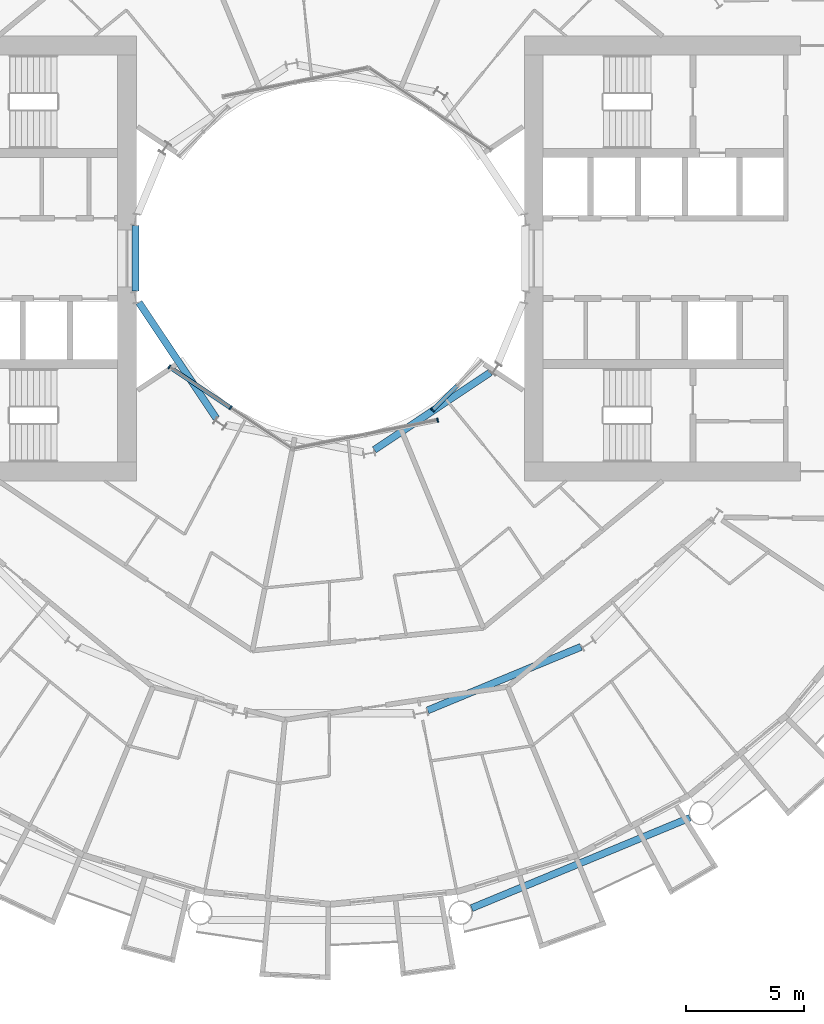
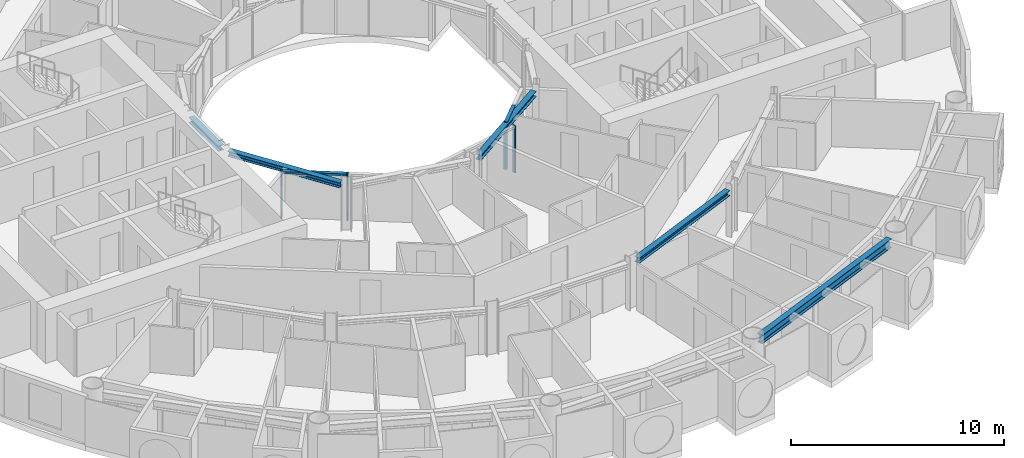
# One storey, part 5 of 26: 6 members, 5 beams, 3 elements without a shape of their own.
"""IFC4 building model written with IfcOpenShell, lengths in metres."""

from ifc_helpers import new_model, si_unit, direction, frame, origin, origin_2d, place, context, subcontext, project, spatial, rectangle, i_section, extrude, material, layer, layer_set, material_profile, profile_set, type_object, element, aggregate, save


model = new_model("IFC4")

# Units and contexts
model_context = context("Model", 3, precision=1e-05, world=origin(), true_north=direction((0.0, 1.0)))
body_context = subcontext(model_context, "Body", "Model", "MODEL_VIEW")
ifc_project = project(units=[si_unit("LENGTHUNIT", "METRE"), si_unit("AREAUNIT", "SQUARE_METRE"), si_unit("VOLUMEUNIT", "CUBIC_METRE"), si_unit("PLANEANGLEUNIT", "RADIAN"), si_unit("MASSUNIT", "GRAM", prefix="KILO")], contexts=[model_context])

# Site, building, storey
site_placement = place(None, origin())
site = spatial("IfcSite", under=ifc_project, at=site_placement, CompositionType="ELEMENT")
building_placement = place(site_placement, origin())
building = spatial("IfcBuilding", under=site, at=building_placement, Name="Maasbend Ring Residences", CompositionType="ELEMENT")
storey_placement = place(building_placement, frame((0.0, 0.0, 35.0)))
storey = spatial("IfcBuildingStorey", under=building, at=storey_placement, Name="L09", CompositionType="ELEMENT", Elevation=35.0)

# Curtain wall, members
ifc_material_1 = material(Name="Aluminium and clear glass", Category="aluminium")
ifc_layer = layer(ifc_material_1, 0.179931640625)
ifc_layer_set = layer_set([ifc_layer], Name="CW-W")
curtain_wall_type = type_object("IfcCurtainWallType", Name="CW-W", PredefinedType="NOTDEFINED", material=ifc_layer_set)
curtain_wall_1_placement = place(storey_placement, origin())
curtain_wall_1 = element("IfcCurtainWall", 1, at=curtain_wall_1_placement, inside=storey, type_object=curtain_wall_type, Name="Well curtain wall S1", PredefinedType="NOTDEFINED")
ifc_material_2 = material(Name="Aluminium 6063-T6", Category="aluminium")
ifc_material_profile_1 = material_profile(ifc_material_2, rectangle(XDim=0.179931640625, YDim=0.06005859375, at=origin_2d()), Name="AL 180x60")
ifc_profile_set_1 = profile_set([ifc_material_profile_1], Name="Aluminium 6063-T6")
member_type_1 = type_object("IfcMemberType", Name="CWM-W", PredefinedType="MULLION", material=ifc_profile_set_1)
member_1_placement = place(storey_placement, frame((-6.805908203125, -4.580810546875, 0.0), z_axis=(0.0, 0.0, 1.0), x_axis=(0.55557023302, 0.831469612303, 0.0)))
member_1 = element("IfcMember", 2, at=member_1_placement, type_object=member_type_1, Name="Mullion well face", PredefinedType="MULLION", context=body_context, shape_type="SweptSolid", body=[
    extrude(rectangle(XDim=0.179931640625, YDim=0.06005859375, at=origin_2d()), origin(), (0.0, 0.0, 1.0), 2.699951171875),
])
member_2_placement = place(storey_placement, frame((-4.216796875, -6.310791015625, 0.0), z_axis=(0.0, 0.0, 1.0), x_axis=(0.55557023302, 0.831469612303, 0.0)))
member_2 = element("IfcMember", 3, at=member_2_placement, type_object=member_type_1, Name="Mullion well face", PredefinedType="MULLION", context=body_context, shape_type="SweptSolid", body=[
    extrude(rectangle(XDim=0.179931640625, YDim=0.06005859375, at=origin_2d()), origin(), (0.0, 0.0, 1.0), 2.699951171875),
])

# Curtain wall, member
curtain_wall_2_placement = place(storey_placement, origin())
curtain_wall_2 = element("IfcCurtainWall", 4, at=curtain_wall_2_placement, inside=storey, type_object=curtain_wall_type, Name="Well curtain wall S2", PredefinedType="NOTDEFINED")
member_3_placement = place(storey_placement, frame((4.53466796875, -6.836669921875, 0.0), z_axis=(0.0, 0.0, 1.0), x_axis=(-0.195090322016, 0.980785280403, 0.0)))
member_3 = element("IfcMember", 5, at=member_3_placement, type_object=member_type_1, Name="Mullion well face", PredefinedType="MULLION", context=body_context, shape_type="SweptSolid", body=[
    extrude(rectangle(XDim=0.179931640625, YDim=0.06005859375, at=origin_2d()), origin(), (0.0, 0.0, 1.0), 2.699951171875),
])
aggregate(curtain_wall_2, [member_3])

curtain_wall_3_placement = place(storey_placement, origin())
curtain_wall_3 = element("IfcCurtainWall", 6, at=curtain_wall_3_placement, inside=storey, type_object=curtain_wall_type, Name="Well curtain wall S3", PredefinedType="NOTDEFINED")
member_4_placement = place(storey_placement, frame((4.320556640625, -6.413330078125, 0.0), z_axis=(0.0, 0.0, 1.0), x_axis=(-0.707106781187, 0.707106781187, 0.0)))
member_4 = element("IfcMember", 7, at=member_4_placement, type_object=member_type_1, Name="Mullion well face", PredefinedType="MULLION", context=body_context, shape_type="SweptSolid", body=[
    extrude(rectangle(XDim=0.179931640625, YDim=0.06005859375, at=origin_2d()), origin(), (0.0, 0.0, 1.0), 2.699951171875),
])

# Member
ifc_material_3 = material(Name="Aluminium 6063-T6", Category="aluminium")
ifc_material_profile_2 = material_profile(ifc_material_3, rectangle(XDim=0.179931640625, YDim=0.1201171875, at=origin_2d()), Name="AL 180x120")
ifc_profile_set_2 = profile_set([ifc_material_profile_2], Name="Aluminium 6063-T6")
member_type_2 = type_object("IfcMemberType", Name="CWT-W", PredefinedType="USERDEFINED", material=ifc_profile_set_2)
member_5_placement = place(storey_placement, frame((-6.781005859375, -4.59765625, 2.639892578125), z_axis=(0.831496422459, -0.555530106689, 0.0), x_axis=(0.555530106689, 0.831496422459, 0.0)))
member_5 = element("IfcMember", 8, at=member_5_placement, type_object=member_type_2, Name="Transom well face", ObjectType="TRANSOM", PredefinedType="USERDEFINED", context=body_context, shape_type="SweptSolid", body=[
    extrude(rectangle(XDim=0.179931640625, YDim=0.1201171875, at=origin_2d()), origin(), (0.0, 0.0, 1.0), 3.053955078125),
])

aggregate(curtain_wall_1, [member_1, member_2, member_5])

member_6_placement = place(storey_placement, frame((4.341796875, -6.39208984375, 2.639892578125), z_axis=(0.707106781187, 0.707106781187, 0.0), x_axis=(-0.707106781187, 0.707106781187, 0.0)))
member_6 = element("IfcMember", 9, at=member_6_placement, type_object=member_type_2, Name="Transom well face", ObjectType="TRANSOM", PredefinedType="USERDEFINED", context=body_context, shape_type="SweptSolid", body=[
    extrude(rectangle(XDim=0.179931640625, YDim=0.1201171875, at=origin_2d()), origin(), (0.0, 0.0, 1.0), 1.419677734375),
])

aggregate(curtain_wall_3, [member_4, member_6])

# Beams
ifc_material_4 = material(Name="Steel S355J2", Category="steel")
ifc_material_profile_3 = material_profile(ifc_material_4, i_section(OverallWidth=0.300048828125, OverallDepth=0.300048828125, WebThickness=0.010986328125, FlangeThickness=0.01904296875, FilletRadius=0.027099609375, at=origin_2d()), Name="HEB 300")
ifc_profile_set_3 = profile_set([ifc_material_profile_3], Name="Steel S355J2")
beam_type_1 = type_object("IfcBeamType", Name="Corridor ring beam HEB 300", PredefinedType="BEAM", material=ifc_profile_set_3)
beam_1_placement = place(storey_placement, frame((4.11572265625, -19.102294921875, 2.550048828125), z_axis=(0.923886196809, 0.38266734293, 0.0), x_axis=(-0.38266734293, 0.923886196809, 0.0)))
element("IfcBeam", 10, at=beam_1_placement, inside=storey, type_object=beam_type_1, Name="Corridor ring beam", PredefinedType="BEAM", context=body_context, shape_type="SweptSolid", body=[
    extrude(i_section(OverallWidth=0.300048828125, OverallDepth=0.300048828125, WebThickness=0.010986328125, FlangeThickness=0.01904296875, FilletRadius=0.027099609375, at=origin_2d()), origin(), (0.0, 0.0, 1.0), 7.015380859375),
])
ifc_material_5 = material(Name="Steel S355J2", Category="steel")
ifc_material_profile_4 = material_profile(ifc_material_5, i_section(OverallWidth=0.300048828125, OverallDepth=0.5, WebThickness=0.014404296875, FlangeThickness=0.028076171875, FilletRadius=0.027099609375, at=origin_2d()), Name="HEB 500")
ifc_profile_set_4 = profile_set([ifc_material_profile_4], Name="Steel S355J2")
beam_type_2 = type_object("IfcBeamType", Name="Spandrel ring beam HEB 500", PredefinedType="SPANDREL", material=ifc_profile_set_4)
beam_2_placement = place(storey_placement, frame((5.970703125, -27.463623046875, 2.449951171875), z_axis=(0.923886337442, 0.382667003395, 0.0), x_axis=(-0.382667003395, 0.923886337442, 0.0)))
element("IfcBeam", 11, at=beam_2_placement, inside=storey, type_object=beam_type_2, Name="Spandrel ring beam", PredefinedType="SPANDREL", context=body_context, shape_type="SweptSolid", body=[
    extrude(i_section(OverallWidth=0.300048828125, OverallDepth=0.5, WebThickness=0.014404296875, FlangeThickness=0.028076171875, FilletRadius=0.027099609375, at=origin_2d()), origin(), (0.0, 0.0, 1.0), 9.9873046875),
])
ifc_material_6 = material(Name="Steel S355J2", Category="steel")
ifc_material_profile_5 = material_profile(ifc_material_6, i_section(OverallWidth=0.300048828125, OverallDepth=0.300048828125, WebThickness=0.010986328125, FlangeThickness=0.01904296875, FilletRadius=0.027099609375, at=origin_2d()), Name="HEB 300")
ifc_profile_set_5 = profile_set([ifc_material_profile_5], Name="Steel S355J2")
beam_type_3 = type_object("IfcBeamType", Name="Well edge beam HEB 300", PredefinedType="BEAM", material=ifc_profile_set_5)
beam_3_placement = place(storey_placement, frame((-8.238525390625, 1.3837890625, 2.550048828125), z_axis=(0.0, -1.0, 0.0), x_axis=(1.0, 0.0, 0.0)))
element("IfcBeam", 12, at=beam_3_placement, inside=storey, type_object=beam_type_3, Name="Well edge beam", PredefinedType="BEAM", context=body_context, shape_type="SweptSolid", body=[
    extrude(i_section(OverallWidth=0.300048828125, OverallDepth=0.300048828125, WebThickness=0.010986328125, FlangeThickness=0.01904296875, FilletRadius=0.027099609375, at=origin_2d()), origin(), (0.0, 0.0, 1.0), 2.767578125),
])
for number, where, z_axis, x_axis, name in (
    (13, (-8.08837890625, -1.86376953125, 2.550048828125), (0.555589782054, -0.831456549723, 0.0), (0.831456549723, 0.555589782054, 0.0), "Well edge beam"),
    (14, (1.86376953125, -8.08837890625, 2.550048828125), (0.831456549723, 0.555589782054, 0.0), (-0.555589782054, 0.831456549723, 0.0), "Well edge beam"),
):
    element("IfcBeam", number, at=place(storey_placement, frame(where, z_axis=z_axis, x_axis=x_axis)), inside=storey, type_object=beam_type_3, Name=name, PredefinedType="BEAM", context=body_context, shape_type="SweptSolid", body=[
        extrude(i_section(OverallWidth=0.300048828125, OverallDepth=0.300048828125, WebThickness=0.010986328125, FlangeThickness=0.01904296875, FilletRadius=0.027099609375, at=origin_2d()), origin(), (0.0, 0.0, 1.0), 5.887939453125),
    ])

save(model, "model.ifc")
